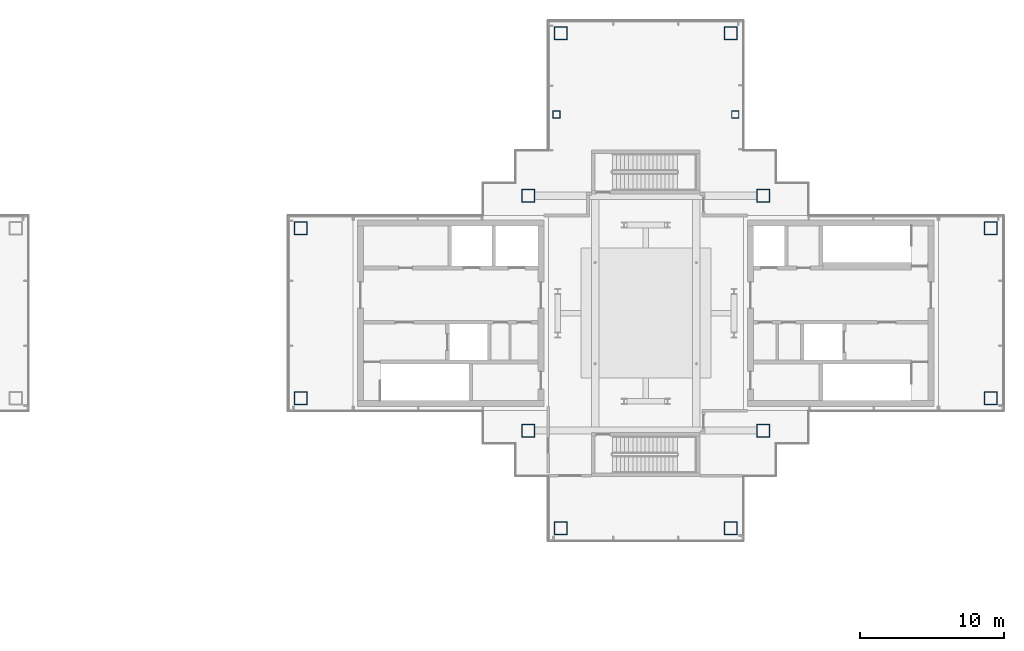
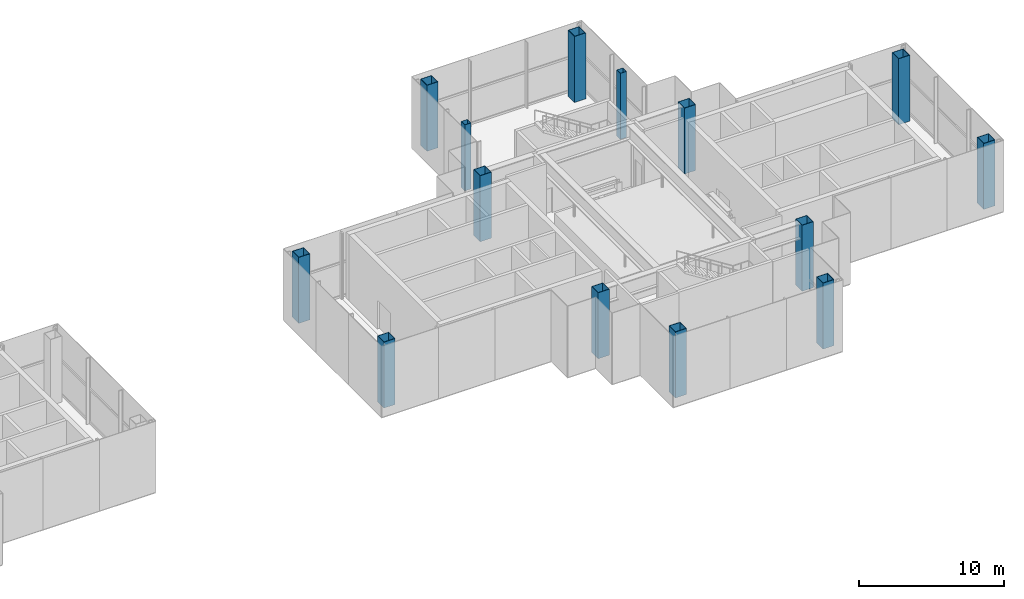
# One storey, part 2 of 17: 14 columns.
"""IFC4 building model written with IfcOpenShell, lengths in metres."""

from ifc_helpers import new_model, si_unit, direction, frame, origin, origin_2d, place, context, subcontext, project, spatial, hollow_rectangle, extrude, material, material_profile, profile_set, type_object, element, save


model = new_model("IFC4")

# Units and contexts
model_context = context("Model", 3, precision=1e-05, world=origin(), true_north=direction((0.0, 1.0)))
body_context = subcontext(model_context, "Body", "Model", "MODEL_VIEW")
ifc_project = project(units=[si_unit("LENGTHUNIT", "METRE"), si_unit("AREAUNIT", "SQUARE_METRE"), si_unit("VOLUMEUNIT", "CUBIC_METRE"), si_unit("PLANEANGLEUNIT", "RADIAN"), si_unit("MASSUNIT", "GRAM", prefix="KILO")], contexts=[model_context])

# Site, building, storey
site_placement = place(None, origin())
site = spatial("IfcSite", under=ifc_project, at=site_placement, CompositionType="ELEMENT")
building_placement = place(site_placement, origin())
building = spatial("IfcBuilding", under=site, at=building_placement, Name="Shamsa Quay Exchange Towers", CompositionType="ELEMENT")
storey_placement = place(building_placement, frame((0.0, 0.0, 278.300048828125)))
storey = spatial("IfcBuildingStorey", under=building, at=storey_placement, Name="L67", CompositionType="ELEMENT", Elevation=278.300048828125)

# Columns
ifc_material_1 = material(Name="Concrete-filled steel tube S355 / C60/75", Category="concrete")
ifc_material_profile_1 = material_profile(ifc_material_1, hollow_rectangle(XDim=0.5, YDim=0.5, WallThickness=0.01611328125, at=origin_2d()), Name="CFT 500x500x16")
ifc_profile_set_1 = profile_set([ifc_material_profile_1], Name="Concrete-filled steel tube S355 / C60/75")
column_type_1 = type_object("IfcColumnType", Name="Column CFT 500x500x16", PredefinedType="COLUMN", material=ifc_profile_set_1)
for number, where, name in (
    (1, (39.9375, 13.75, 0.0), "Perimeter column T2-CP05"),
    (2, (27.5625, 13.75, 0.0), "Perimeter column T2-CP09"),
):
    element("IfcColumn", number, at=place(storey_placement, frame(where)), inside=storey, type_object=column_type_1, Name=name, PredefinedType="COLUMN", context=body_context, shape_type="SweptSolid", body=[
        extrude(hollow_rectangle(XDim=0.5, YDim=0.5, WallThickness=0.01611328125, at=origin_2d()), origin(), (0.0, 0.0, 1.0), 5.550048828125),
    ])
ifc_material_2 = material(Name="Concrete-filled steel tube S355 / C80/95", Category="concrete")
ifc_material_profile_2 = material_profile(ifc_material_2, hollow_rectangle(XDim=0.89990234375, YDim=0.89990234375, WallThickness=0.035888671875, at=origin_2d()), Name="CFT 900x900x36")
ifc_profile_set_2 = profile_set([ifc_material_profile_2], Name="Concrete-filled steel tube S355 / C80/95")
column_type_2 = type_object("IfcColumnType", Name="Column CFT 900x900x36", PredefinedType="COLUMN", material=ifc_profile_set_2)
for number, where, name in (
    (3, (25.625, 8.125, 0.0), "Mega column T2-CM01"),
    (4, (41.875, 8.125, 0.0), "Mega column T2-CM02"),
    (5, (25.625, -8.125, 0.0), "Mega column T2-CM03"),
    (6, (41.875, -8.125, 0.0), "Mega column T2-CM04"),
    (7, (39.625, 19.375, 0.0), "Mega column T2-CM06"),
    (8, (27.875, 19.375, 0.0), "Mega column T2-CM10"),
    (9, (39.625, -14.875, 0.0), "Mega column T2-CM13"),
    (10, (27.875, -14.875, 0.0), "Mega column T2-CM16"),
    (11, (9.875, -5.875, 0.0), "Mega column T2-CM19"),
    (12, (9.875, 5.875, 0.0), "Mega column T2-CM20"),
    (13, (57.625, -5.875, 0.0), "Mega column T2-CM21"),
    (14, (57.625, 5.875, 0.0), "Mega column T2-CM23"),
):
    element("IfcColumn", number, at=place(storey_placement, frame(where)), inside=storey, type_object=column_type_2, Name=name, PredefinedType="COLUMN", context=body_context, shape_type="SweptSolid", body=[
        extrude(hollow_rectangle(XDim=0.89990234375, YDim=0.89990234375, WallThickness=0.035888671875, at=origin_2d()), origin(), (0.0, 0.0, 1.0), 5.550048828125),
    ])

save(model, "model.ifc")
